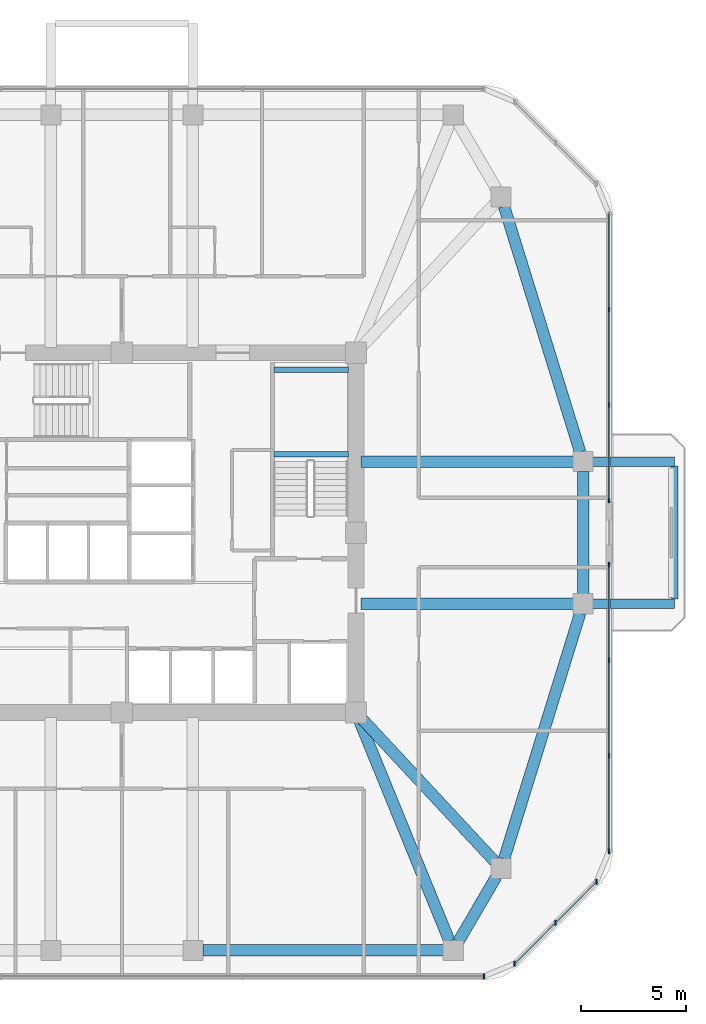
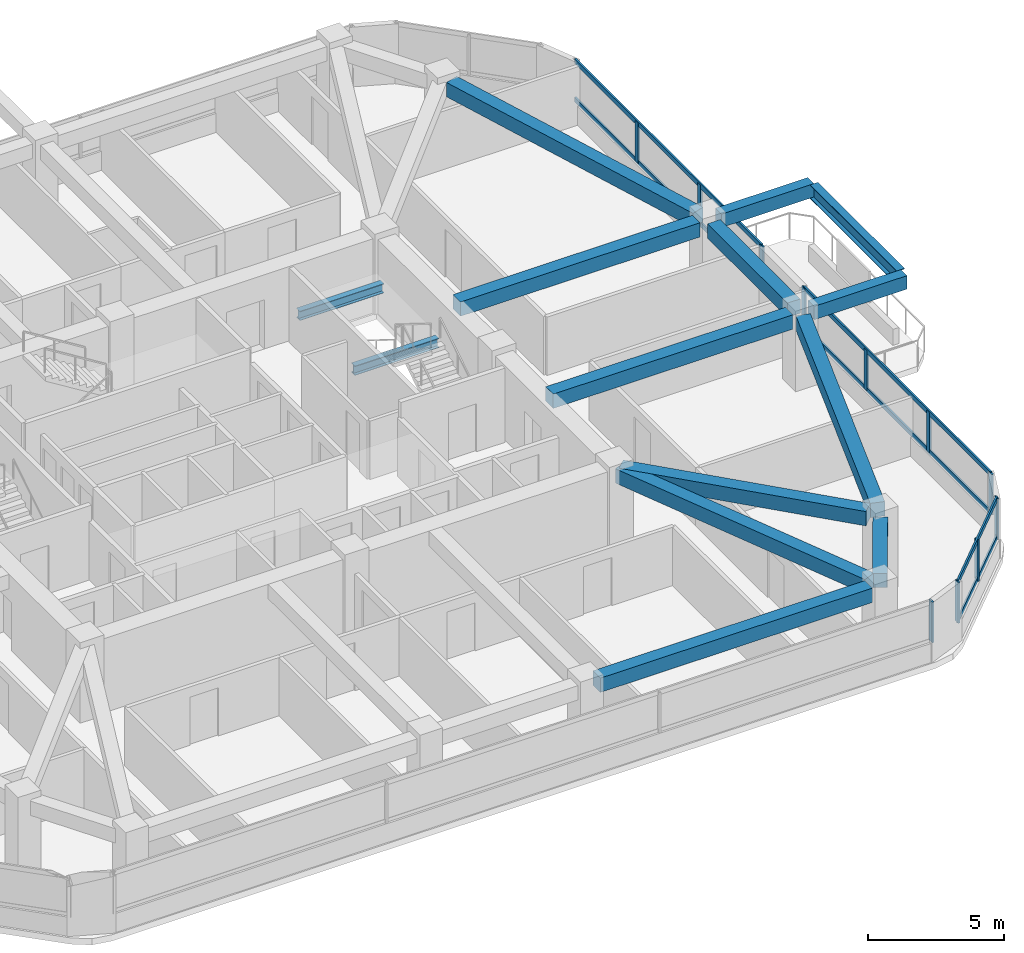
# One storey, part 4 of 13: 17 members, 14 beams, 4 elements without a shape of their own.
"""IFC4 building model written with IfcOpenShell, lengths in metres."""

from ifc_helpers import new_model, si_unit, derived_unit, direction, frame, origin, origin_2d, place, context, subcontext, project, spatial, rectangle, i_section, extrude, material, material_profile, profile_set, type_object, element, aggregate, save


model = new_model("IFC4")

# Units and contexts
model_context = context("Model", 3, precision=1e-05, world=origin(), true_north=direction((0.0, 1.0)))
body_context = subcontext(model_context, "Body", "Model", "MODEL_VIEW")
ifc_project = project(units=[si_unit("LENGTHUNIT", "METRE"), si_unit("AREAUNIT", "SQUARE_METRE"), si_unit("VOLUMEUNIT", "CUBIC_METRE"), si_unit("PLANEANGLEUNIT", "RADIAN"), si_unit("MASSUNIT", "GRAM", prefix="KILO"), derived_unit("THERMALTRANSMITTANCEUNIT", [(si_unit("POWERUNIT", "WATT"), 1), (si_unit("LENGTHUNIT", "METRE"), -2), (si_unit("THERMODYNAMICTEMPERATUREUNIT", "KELVIN"), -1)])], contexts=[model_context])

# Site, building, storey
site_placement = place(None, origin())
site = spatial("IfcSite", under=ifc_project, at=site_placement, CompositionType="ELEMENT")
building_placement = place(site_placement, origin())
building = spatial("IfcBuilding", under=site, at=building_placement, Name="Koralith Skygarden Medical Center", CompositionType="ELEMENT")
storey_placement = place(building_placement, frame((0.0, 0.0, 142.02001953125)))
storey = spatial("IfcBuildingStorey", under=building, at=storey_placement, Name="L36", CompositionType="ELEMENT", Elevation=142.02001953125)

# Curtain wall, member
ifc_material_1 = material(Name="Clear Laminated Glass", Category="glass")
curtain_wall_type = type_object("IfcCurtainWallType", Name="CW-4 Zone 3 Waist High-Wind Curtain Wall", PredefinedType="NOTDEFINED", material=ifc_material_1)
curtain_wall_1_placement = place(storey_placement, origin())
curtain_wall_1 = element("IfcCurtainWall", 1, at=curtain_wall_1_placement, inside=storey, type_object=curtain_wall_type, Name="Curtain Wall CW-L36-S", PredefinedType="NOTDEFINED")
ifc_material_2 = material(Name="Aluminium 6063-T6", Category="aluminium")
ifc_material_profile_1 = material_profile(ifc_material_2, rectangle(XDim=0.076904296875, YDim=0.22998046875, at=origin_2d()), Name="MUL77X230")
ifc_profile_set_1 = profile_set([ifc_material_profile_1], Name="Aluminium 6063-T6")
member_type_1 = type_object("IfcMemberType", Name="CW-4 Extruded Mullion 77x230", PredefinedType="MULLION", material=ifc_profile_set_1)
member_1_placement = place(storey_placement, frame((54.3291015625, 4.679931640625, 0.85009765625), z_axis=(0.0, 0.0, 1.0), x_axis=(1.0, 0.0, 0.0)))
member_1 = element("IfcMember", 2, at=member_1_placement, type_object=member_type_1, Name="CW-L36-S Mullion 4", PredefinedType="MULLION", context=body_context, shape_type="SweptSolid", body=[
    extrude(rectangle(XDim=0.076904296875, YDim=0.22998046875, at=origin_2d()), origin(), (0.0, 0.0, 1.0), 1.81982421875),
])
aggregate(curtain_wall_1, [member_1])

# Curtain wall, members
curtain_wall_2_placement = place(storey_placement, origin())
curtain_wall_2 = element("IfcCurtainWall", 3, at=curtain_wall_2_placement, inside=storey, type_object=curtain_wall_type, Name="Curtain Wall CW-L36-SE", PredefinedType="NOTDEFINED")
member_2_placement = place(storey_placement, frame((55.780029296875, 5.281005859375, 0.85009765625), z_axis=(0.0, 0.0, 1.0), x_axis=(1.0, 0.0, 0.0)))
member_2 = element("IfcMember", 4, at=member_2_placement, type_object=member_type_1, Name="CW-L36-SE Mullion 1", PredefinedType="MULLION", context=body_context, shape_type="SweptSolid", body=[
    extrude(rectangle(XDim=0.076904296875, YDim=0.22998046875, at=origin_2d()), origin(), (0.0, 0.0, 1.0), 1.81982421875),
])
member_3_placement = place(storey_placement, frame((57.741943359375, 7.241943359375, 0.85009765625), z_axis=(0.0, 0.0, 1.0), x_axis=(1.0, 0.0, 0.0)))
member_3 = element("IfcMember", 5, at=member_3_placement, type_object=member_type_1, Name="CW-L36-SE Mullion 2", PredefinedType="MULLION", context=body_context, shape_type="SweptSolid", body=[
    extrude(rectangle(XDim=0.076904296875, YDim=0.22998046875, at=origin_2d()), origin(), (0.0, 0.0, 1.0), 1.81982421875),
])
member_4_placement = place(storey_placement, frame((59.702880859375, 9.2041015625, 0.85009765625), z_axis=(0.0, 0.0, 1.0), x_axis=(1.0, 0.0, 0.0)))
member_4 = element("IfcMember", 6, at=member_4_placement, type_object=member_type_1, Name="CW-L36-SE Mullion 3", PredefinedType="MULLION", context=body_context, shape_type="SweptSolid", body=[
    extrude(rectangle(XDim=0.076904296875, YDim=0.22998046875, at=origin_2d()), origin(), (0.0, 0.0, 1.0), 1.81982421875),
])

curtain_wall_3_placement = place(storey_placement, origin())
curtain_wall_3 = element("IfcCurtainWall", 7, at=curtain_wall_3_placement, inside=storey, type_object=curtain_wall_type, Name="Curtain Wall CW-L36-E-L", PredefinedType="NOTDEFINED")
member_5_placement = place(storey_placement, frame((60.303955078125, 10.655029296875, 0.85009765625), z_axis=(0.0, 0.0, 1.0), x_axis=(1.0, 0.0, 0.0)))
member_5 = element("IfcMember", 8, at=member_5_placement, type_object=member_type_1, Name="CW-L36-E-L Mullion 1", PredefinedType="MULLION", context=body_context, shape_type="SweptSolid", body=[
    extrude(rectangle(XDim=0.076904296875, YDim=0.22998046875, at=origin_2d()), origin(), (0.0, 0.0, 1.0), 1.81982421875),
])
member_6_placement = place(storey_placement, frame((60.303955078125, 15.222900390625, 0.85009765625), z_axis=(0.0, 0.0, 1.0), x_axis=(1.0, 0.0, 0.0)))
member_6 = element("IfcMember", 9, at=member_6_placement, type_object=member_type_1, Name="CW-L36-E-L Mullion 2", PredefinedType="MULLION", context=body_context, shape_type="SweptSolid", body=[
    extrude(rectangle(XDim=0.076904296875, YDim=0.22998046875, at=origin_2d()), origin(), (0.0, 0.0, 1.0), 1.81982421875),
])
member_7_placement = place(storey_placement, frame((60.303955078125, 19.7919921875, 0.85009765625), z_axis=(0.0, 0.0, 1.0), x_axis=(1.0, 0.0, 0.0)))
member_7 = element("IfcMember", 10, at=member_7_placement, type_object=member_type_1, Name="CW-L36-E-L Mullion 3", PredefinedType="MULLION", context=body_context, shape_type="SweptSolid", body=[
    extrude(rectangle(XDim=0.076904296875, YDim=0.22998046875, at=origin_2d()), origin(), (0.0, 0.0, 1.0), 1.81982421875),
])
member_8_placement = place(storey_placement, frame((60.303955078125, 24.360107421875, 0.85009765625), z_axis=(0.0, 0.0, 1.0), x_axis=(1.0, 0.0, 0.0)))
member_8 = element("IfcMember", 11, at=member_8_placement, type_object=member_type_1, Name="CW-L36-E-L Mullion 4", PredefinedType="MULLION", context=body_context, shape_type="SweptSolid", body=[
    extrude(rectangle(XDim=0.076904296875, YDim=0.22998046875, at=origin_2d()), origin(), (0.0, 0.0, 1.0), 1.81982421875),
])

curtain_wall_4_placement = place(storey_placement, origin())
curtain_wall_4 = element("IfcCurtainWall", 12, at=curtain_wall_4_placement, inside=storey, type_object=curtain_wall_type, Name="Curtain Wall CW-L36-E-R", PredefinedType="NOTDEFINED")
member_9_placement = place(storey_placement, frame((60.303955078125, 27.43994140625, 0.85009765625), z_axis=(0.0, 0.0, 1.0), x_axis=(1.0, 0.0, 0.0)))
member_9 = element("IfcMember", 13, at=member_9_placement, type_object=member_type_1, Name="CW-L36-E-R Mullion 1", PredefinedType="MULLION", context=body_context, shape_type="SweptSolid", body=[
    extrude(rectangle(XDim=0.076904296875, YDim=0.22998046875, at=origin_2d()), origin(), (0.0, 0.0, 1.0), 1.81982421875),
])
member_10_placement = place(storey_placement, frame((60.303955078125, 32.008056640625, 0.85009765625), z_axis=(0.0, 0.0, 1.0), x_axis=(1.0, 0.0, 0.0)))
member_10 = element("IfcMember", 14, at=member_10_placement, type_object=member_type_1, Name="CW-L36-E-R Mullion 2", PredefinedType="MULLION", context=body_context, shape_type="SweptSolid", body=[
    extrude(rectangle(XDim=0.076904296875, YDim=0.22998046875, at=origin_2d()), origin(), (0.0, 0.0, 1.0), 1.81982421875),
])
member_11_placement = place(storey_placement, frame((60.303955078125, 36.576904296875, 0.85009765625), z_axis=(0.0, 0.0, 1.0), x_axis=(1.0, 0.0, 0.0)))
member_11 = element("IfcMember", 15, at=member_11_placement, type_object=member_type_1, Name="CW-L36-E-R Mullion 3", PredefinedType="MULLION", context=body_context, shape_type="SweptSolid", body=[
    extrude(rectangle(XDim=0.076904296875, YDim=0.22998046875, at=origin_2d()), origin(), (0.0, 0.0, 1.0), 1.81982421875),
])

# Member
ifc_material_profile_2 = material_profile(ifc_material_2, rectangle(XDim=0.072021484375, YDim=0.20703125, at=origin_2d()), Name="TRN72X207")
ifc_profile_set_2 = profile_set([ifc_material_profile_2], Name="Aluminium 6063-T6")
member_type_2 = type_object("IfcMemberType", Name="CW-4 Thermal Transom 72x207", PredefinedType="USERDEFINED", material=ifc_profile_set_2)
member_12_placement = place(storey_placement, frame((55.780029296875, 5.281005859375, 0.89990234375), z_axis=(0.707084777957, 0.707128783731, 0.0), x_axis=(-0.707128783731, 0.707084777957, 0.0)))
member_12 = element("IfcMember", 16, at=member_12_placement, type_object=member_type_2, Name="CW-L36-SE Transom 1", ObjectType="TRANSOM", PredefinedType="USERDEFINED", context=body_context, shape_type="SweptSolid", body=[
    extrude(rectangle(XDim=0.072021484375, YDim=0.20703125, at=origin_2d()), origin(), (0.0, 0.0, 1.0), 5.5478515625),
])

member_13_placement = place(storey_placement, frame((55.780029296875, 5.281005859375, 2.619873046875), z_axis=(0.707084777957, 0.707128783731, 0.0), x_axis=(-0.707128783731, 0.707084777957, 0.0)))
member_13 = element("IfcMember", 17, at=member_13_placement, type_object=member_type_2, Name="CW-L36-SE Transom 2", ObjectType="TRANSOM", PredefinedType="USERDEFINED", context=body_context, shape_type="SweptSolid", body=[
    extrude(rectangle(XDim=0.072021484375, YDim=0.20703125, at=origin_2d()), origin(), (0.0, 0.0, 1.0), 5.5478515625),
])

aggregate(curtain_wall_2, [member_2, member_3, member_4, member_12, member_13])

member_14_placement = place(storey_placement, frame((60.303955078125, 10.655029296875, 0.89990234375), z_axis=(0.0, 1.0, 0.0), x_axis=(-1.0, 0.0, 0.0)))
member_14 = element("IfcMember", 18, at=member_14_placement, type_object=member_type_2, Name="CW-L36-E-L Transom 1", ObjectType="TRANSOM", PredefinedType="USERDEFINED", context=body_context, shape_type="SweptSolid", body=[
    extrude(rectangle(XDim=0.072021484375, YDim=0.20703125, at=origin_2d()), origin(), (0.0, 0.0, 1.0), 13.705078125),
])

member_15_placement = place(storey_placement, frame((60.303955078125, 10.655029296875, 2.619873046875), z_axis=(0.0, 1.0, 0.0), x_axis=(-1.0, 0.0, 0.0)))
member_15 = element("IfcMember", 19, at=member_15_placement, type_object=member_type_2, Name="CW-L36-E-L Transom 2", ObjectType="TRANSOM", PredefinedType="USERDEFINED", context=body_context, shape_type="SweptSolid", body=[
    extrude(rectangle(XDim=0.072021484375, YDim=0.20703125, at=origin_2d()), origin(), (0.0, 0.0, 1.0), 13.705078125),
])

aggregate(curtain_wall_3, [member_5, member_6, member_7, member_8, member_14, member_15])

member_16_placement = place(storey_placement, frame((60.303955078125, 27.43994140625, 0.89990234375), z_axis=(0.0, 1.0, 0.0), x_axis=(-1.0, 0.0, 0.0)))
member_16 = element("IfcMember", 20, at=member_16_placement, type_object=member_type_2, Name="CW-L36-E-R Transom 1", ObjectType="TRANSOM", PredefinedType="USERDEFINED", context=body_context, shape_type="SweptSolid", body=[
    extrude(rectangle(XDim=0.072021484375, YDim=0.20703125, at=origin_2d()), origin(), (0.0, 0.0, 1.0), 13.705078125),
])

member_17_placement = place(storey_placement, frame((60.303955078125, 27.43994140625, 2.619873046875), z_axis=(0.0, 1.0, 0.0), x_axis=(-1.0, 0.0, 0.0)))
member_17 = element("IfcMember", 21, at=member_17_placement, type_object=member_type_2, Name="CW-L36-E-R Transom 2", ObjectType="TRANSOM", PredefinedType="USERDEFINED", context=body_context, shape_type="SweptSolid", body=[
    extrude(rectangle(XDim=0.072021484375, YDim=0.20703125, at=origin_2d()), origin(), (0.0, 0.0, 1.0), 13.705078125),
])

aggregate(curtain_wall_4, [member_9, member_10, member_11, member_16, member_17])

# Beams
ifc_material_3 = material(Name="Steel ASTM A992 Grade 50", Category="steel")
ifc_material_profile_3 = material_profile(ifc_material_3, i_section(OverallWidth=0.326904296875, OverallDepth=0.6220703125, WebThickness=0.015380859375, FlangeThickness=0.0244140625, at=origin_2d()), Name="W24X131")
ifc_profile_set_3 = profile_set([ifc_material_profile_3], Name="Steel ASTM A992 Grade 50")
beam_type_1 = type_object("IfcBeamType", Name="Cantilever Tie Beam W24X131", PredefinedType="BEAM", material=ifc_profile_set_3)
beam_1_placement = place(storey_placement, frame((63.444091796875, 22.719970703125, 3.029052734375), z_axis=(0.0, 1.0, 0.0), x_axis=(-1.0, 0.0, 0.0)))
element("IfcBeam", 22, at=beam_1_placement, inside=storey, type_object=beam_type_1, Name="L37 E Balcony Tip Tie Beam", PredefinedType="BEAM", context=body_context, shape_type="SweptSolid", body=[
    extrude(i_section(OverallWidth=0.326904296875, OverallDepth=0.6220703125, WebThickness=0.015380859375, FlangeThickness=0.0244140625, at=origin_2d()), origin(), (0.0, 0.0, 1.0), 6.360107421875),
])
ifc_material_profile_4 = material_profile(ifc_material_3, i_section(OverallWidth=0.260009765625, OverallDepth=0.4150390625, WebThickness=0.010009765625, FlangeThickness=0.016845703125, at=origin_2d()), Name="W16X67")
ifc_profile_set_4 = profile_set([ifc_material_profile_4], Name="Steel ASTM A992 Grade 50")
beam_type_2 = type_object("IfcBeamType", Name="Clinical Floor Joist W16X67", PredefinedType="JOIST", material=ifc_profile_set_4)
for number, where, z_axis, x_axis, name in (
    (23, (44.280029296875, 29.659912109375, 1.39208984375), (1.0, 0.0, 0.0), (0.0, 1.0, 0.0), "L36 Stair ST2 Half-Landing Support Beam 1A"),
    (24, (44.280029296875, 33.699951171875, 1.39208984375), (1.0, 0.0, 0.0), (0.0, 1.0, 0.0), "L36 Stair ST2 Half-Landing Support Beam 1B"),
):
    element("IfcBeam", number, at=place(storey_placement, frame(where, z_axis=z_axis, x_axis=x_axis)), inside=storey, type_object=beam_type_2, Name=name, PredefinedType="JOIST", context=body_context, shape_type="SweptSolid", body=[
        extrude(i_section(OverallWidth=0.260009765625, OverallDepth=0.4150390625, WebThickness=0.010009765625, FlangeThickness=0.016845703125, at=origin_2d()), origin(), (0.0, 0.0, 1.0), 3.56494140625),
    ])
ifc_material_4 = material(Name="Concrete C45/55", Category="concrete")
ifc_material_profile_5 = material_profile(ifc_material_4, rectangle(XDim=0.449951171875, YDim=0.60009765625, at=origin_2d()), Name="RCB450X600")
ifc_profile_set_5 = profile_set([ifc_material_profile_5], Name="Concrete C45/55")
beam_type_3 = type_object("IfcBeamType", Name="Planted Balcony Cantilever Beam RCB450X600", PredefinedType="BEAM", material=ifc_profile_set_5)
for number, where, z_axis, x_axis, name in (
    (25, (59.52392578125, 22.5, 3.0400390625), (1.0, 0.0, 0.0), (0.0, 1.0, 0.0), "L37 E Balcony Cantilever Beam A"),
    (26, (59.52392578125, 29.300048828125, 3.0400390625), (1.0, 0.0, 0.0), (0.0, 1.0, 0.0), "L37 E Balcony Cantilever Beam B"),
):
    element("IfcBeam", number, at=place(storey_placement, frame(where, z_axis=z_axis, x_axis=x_axis)), inside=storey, type_object=beam_type_3, Name=name, PredefinedType="BEAM", context=body_context, shape_type="SweptSolid", body=[
        extrude(rectangle(XDim=0.449951171875, YDim=0.60009765625, at=origin_2d()), origin(), (0.0, 0.0, 1.0), 3.920166015625),
    ])
ifc_material_profile_6 = material_profile(ifc_material_4, rectangle(XDim=0.550048828125, YDim=0.639892578125, at=origin_2d()), Name="RCB550X640")
ifc_profile_set_6 = profile_set([ifc_material_profile_6], Name="Concrete C45/55")
beam_type_4 = type_object("IfcBeamType", Name="Radial Collector Beam RCB550X640", PredefinedType="BEAM", material=ifc_profile_set_6)
beam_2_placement = place(storey_placement, frame((48.294921875, 17.069091796875, 3.0), z_axis=(0.378344544364, -0.92566484526, 0.0), x_axis=(0.92566484526, 0.378344544364, 0.0)))
element("IfcBeam", 27, at=beam_2_placement, inside=storey, type_object=beam_type_4, Name="L36 Radial Collector Beam RB-06", PredefinedType="BEAM", context=body_context, shape_type="SweptSolid", body=[
    extrude(rectangle(XDim=0.550048828125, YDim=0.639892578125, at=origin_2d()), origin(), (0.0, 0.0, 1.0), 11.574462890625),
])
beam_3_placement = place(storey_placement, frame((48.3701171875, 17.116943359375, 3.0), z_axis=(0.681369011591, -0.731940072713, 0.0), x_axis=(0.731940072713, 0.681369011591, 0.0)))
element("IfcBeam", 28, at=beam_3_placement, inside=storey, type_object=beam_type_4, Name="L36 Radial Collector Beam RB-07", PredefinedType="BEAM", context=body_context, shape_type="SweptSolid", body=[
    extrude(rectangle(XDim=0.550048828125, YDim=0.639892578125, at=origin_2d()), origin(), (0.0, 0.0, 1.0), 9.471923828125),
])
for number, where, z_axis, x_axis, name in (
    (29, (48.449951171875, 22.5, 3.0), (1.0, 0.0, 0.0), (0.0, 1.0, 0.0), "L36 Radial Collector Beam RB-08"),
    (30, (48.449951171875, 29.300048828125, 3.0), (1.0, 0.0, 0.0), (0.0, 1.0, 0.0), "L36 Radial Collector Beam RB-09"),
):
    element("IfcBeam", number, at=place(storey_placement, frame(where, z_axis=z_axis, x_axis=x_axis)), inside=storey, type_object=beam_type_4, Name=name, PredefinedType="BEAM", context=body_context, shape_type="SweptSolid", body=[
        extrude(rectangle(XDim=0.550048828125, YDim=0.639892578125, at=origin_2d()), origin(), (0.0, 0.0, 1.0), 10.14404296875),
    ])
ifc_material_profile_7 = material_profile(ifc_material_4, rectangle(XDim=0.550048828125, YDim=0.639892578125, at=origin_2d()), Name="RCB550X640")
ifc_profile_set_7 = profile_set([ifc_material_profile_7], Name="Concrete C45/55")
beam_type_5 = type_object("IfcBeamType", Name="Zone 2-3 Spandrel Beam RCB550X640", PredefinedType="SPANDREL", material=ifc_profile_set_7)
beam_4_placement = place(storey_placement, frame((40.8701171875, 5.919921875, 3.0), z_axis=(1.0, 0.0, 0.0), x_axis=(0.0, 1.0, 0.0)))
element("IfcBeam", 31, at=beam_4_placement, inside=storey, type_object=beam_type_5, Name="L36 Perimeter Spandrel Beam SP-05", PredefinedType="SPANDREL", context=body_context, shape_type="SweptSolid", body=[
    extrude(rectangle(XDim=0.550048828125, YDim=0.639892578125, at=origin_2d()), origin(), (0.0, 0.0, 1.0), 11.511962890625),
])
beam_5_placement = place(storey_placement, frame((53.089111328125, 6.325927734375, 3.0), z_axis=(0.504861391295, 0.863200426077, 0.0), x_axis=(-0.863200426077, 0.504861391295, 0.0)))
element("IfcBeam", 32, at=beam_5_placement, inside=storey, type_object=beam_type_5, Name="L36 Perimeter Spandrel Beam SP-06", PredefinedType="SPANDREL", context=body_context, shape_type="SweptSolid", body=[
    extrude(rectangle(XDim=0.550048828125, YDim=0.639892578125, at=origin_2d()), origin(), (0.0, 0.0, 1.0), 3.600830078125),
])
beam_6_placement = place(storey_placement, frame((55.282958984375, 10.2890625, 3.0), z_axis=(0.295793585147, 0.955251880389, 0.0), x_axis=(-0.955251880389, 0.295793585147, 0.0)))
element("IfcBeam", 33, at=beam_6_placement, inside=storey, type_object=beam_type_5, Name="L36 Perimeter Spandrel Beam SP-07", PredefinedType="SPANDREL", context=body_context, shape_type="SweptSolid", body=[
    extrude(rectangle(XDim=0.550048828125, YDim=0.639892578125, at=origin_2d()), origin(), (0.0, 0.0, 1.0), 12.31298828125),
])
beam_7_placement = place(storey_placement, frame((59.06396484375, 22.969970703125, 3.0), z_axis=(0.0, 1.0, 0.0), x_axis=(-1.0, 0.0, 0.0)))
element("IfcBeam", 34, at=beam_7_placement, inside=storey, type_object=beam_type_5, Name="L36 Perimeter Spandrel Beam SP-08", PredefinedType="SPANDREL", context=body_context, shape_type="SweptSolid", body=[
    extrude(rectangle(XDim=0.550048828125, YDim=0.639892578125, at=origin_2d()), origin(), (0.0, 0.0, 1.0), 5.860107421875),
])
beam_8_placement = place(storey_placement, frame((58.925048828125, 29.7490234375, 3.0), z_axis=(-0.295793585147, 0.955251880389, 0.0), x_axis=(-0.955251880389, -0.295793585147, 0.0)))
element("IfcBeam", 35, at=beam_8_placement, inside=storey, type_object=beam_type_5, Name="L36 Perimeter Spandrel Beam SP-09", PredefinedType="SPANDREL", context=body_context, shape_type="SweptSolid", body=[
    extrude(rectangle(XDim=0.550048828125, YDim=0.639892578125, at=origin_2d()), origin(), (0.0, 0.0, 1.0), 12.31298828125),
])

save(model, "model.ifc")
